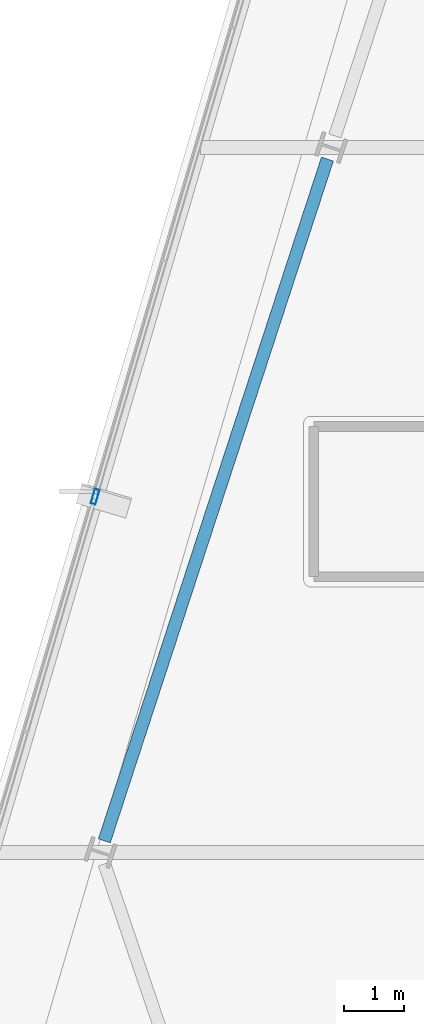
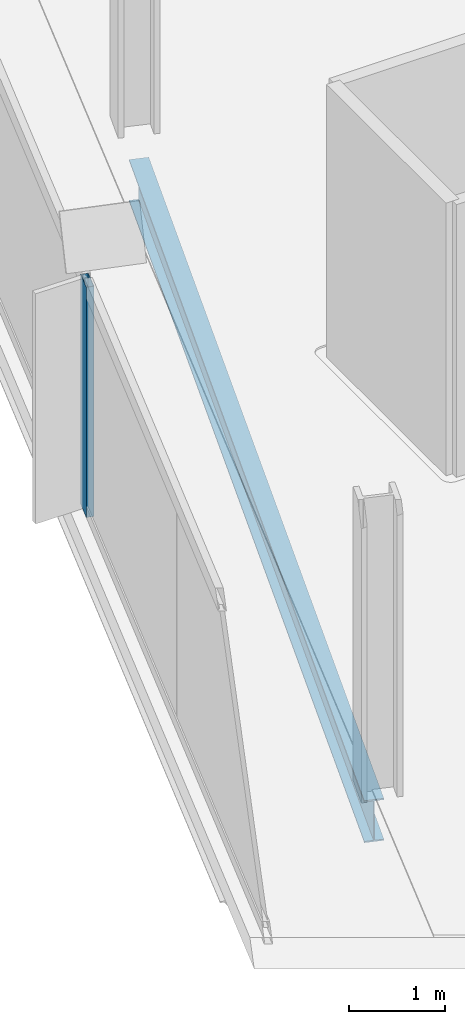
# One storey, part 6 of 26: 1 beam, 1 member, 1 element without a shape of its own.
"""IFC4 building model written with IfcOpenShell, lengths in metres."""

from ifc_helpers import new_model, si_unit, direction, frame, origin, origin_2d, place, context, subcontext, project, spatial, hollow_rectangle, i_section, extrude, material, material_profile, profile_set, type_object, element, aggregate, save


model = new_model("IFC4")

# Units and contexts
model_context = context("Model", 3, precision=1e-05, world=origin(), true_north=direction((0.0, 1.0)))
body_context = subcontext(model_context, "Body", "Model", "MODEL_VIEW")
ifc_project = project(units=[si_unit("LENGTHUNIT", "METRE"), si_unit("AREAUNIT", "SQUARE_METRE"), si_unit("VOLUMEUNIT", "CUBIC_METRE"), si_unit("PLANEANGLEUNIT", "RADIAN"), si_unit("MASSUNIT", "GRAM", prefix="KILO")], contexts=[model_context])

# Site, building, storey
site_placement = place(None, origin())
site = spatial("IfcSite", under=ifc_project, at=site_placement, CompositionType="ELEMENT")
building_placement = place(site_placement, origin())
building = spatial("IfcBuilding", under=site, at=building_placement, Name="Haldenkirk Collegiate Tower", CompositionType="ELEMENT")
storey_placement = place(building_placement, frame((0.0, 0.0, 274.949951171875)))
storey = spatial("IfcBuildingStorey", under=building, at=storey_placement, Name="L69", CompositionType="ELEMENT", Elevation=274.949951171875)

# Beam
ifc_material_1 = material(Name="Steel ASTM A992 Grade 50", Category="steel")
ifc_material_profile_1 = material_profile(ifc_material_1, i_section(OverallWidth=0.2099609375, OverallDepth=0.537109375, WebThickness=0.010986328125, FlangeThickness=0.017333984375, at=origin_2d()), Name="W21X68")
ifc_profile_set_1 = profile_set([ifc_material_profile_1], Name="Steel ASTM A992 Grade 50")
beam_type = type_object("IfcBeamType", Name="BM-SPANDREL-W21X68", PredefinedType="SPANDREL", material=ifc_profile_set_1)
beam_placement = place(storey_placement, frame((17.9267578125, 31.701171875, -0.538330078125), z_axis=(-0.311010188249, -0.950406577631, 0.0), x_axis=(0.950406577631, -0.311010188249, 0.0)))
element("IfcBeam", 1, at=beam_placement, inside=storey, type_object=beam_type, Name="L69 perimeter spandrel beam 11", PredefinedType="SPANDREL", context=body_context, shape_type="SweptSolid", body=[
    extrude(i_section(OverallWidth=0.2099609375, OverallDepth=0.537109375, WebThickness=0.010986328125, FlangeThickness=0.017333984375, at=origin_2d()), origin(), (0.0, 0.0, 1.0), 11.94287109375),
])

# Curtain wall, member
ifc_material_2 = material(Name="Anodised architectural bronze aluminium", Category="aluminium")
curtain_wall_type = type_object("IfcCurtainWallType", Name="CW-SYS1B-CONVEX-HI", PredefinedType="USERDEFINED", material=ifc_material_2)
curtain_wall_placement = place(storey_placement, origin())
curtain_wall = element("IfcCurtainWall", 2, at=curtain_wall_placement, inside=storey, type_object=curtain_wall_type, Name="L69 Upper tower high-wind convex bronze unitised curtain wall", ObjectType="UNITISED CURTAIN WALL", PredefinedType="USERDEFINED")
ifc_material_profile_2 = material_profile(ifc_material_2, hollow_rectangle(XDim=0.0849609375, YDim=0.25, WallThickness=0.0048828125, at=origin_2d()), Name="CW-MUL-1B")
ifc_profile_set_2 = profile_set([ifc_material_profile_2], Name="Anodised architectural bronze aluminium")
member_type = type_object("IfcMemberType", Name="CW-MUL-1B", PredefinedType="MULLION", material=ifc_profile_set_2)
member_placement = place(storey_placement, frame((14.060302734375, 26.0810546875, 0.0), z_axis=(0.0, 0.0, 1.0), x_axis=(-0.959313201859, 0.282344082174, 0.0)))
member = element("IfcMember", 3, at=member_placement, type_object=member_type, Name="CW-1B mullion 2", PredefinedType="MULLION", context=body_context, shape_type="SweptSolid", body=[
    extrude(hollow_rectangle(XDim=0.0849609375, YDim=0.25, WallThickness=0.0048828125, at=origin_2d()), origin(), (0.0, 0.0, 1.0), 2.93798828125),
])
aggregate(curtain_wall, [member])

save(model, "model.ifc")
